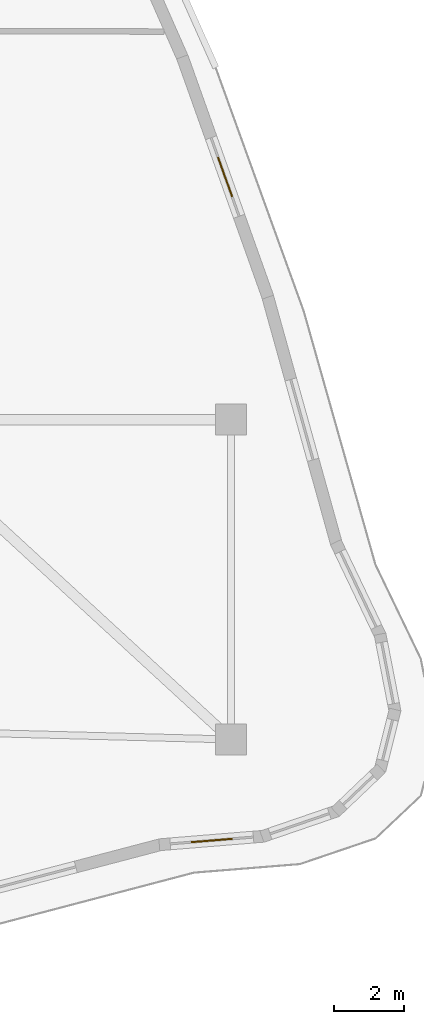
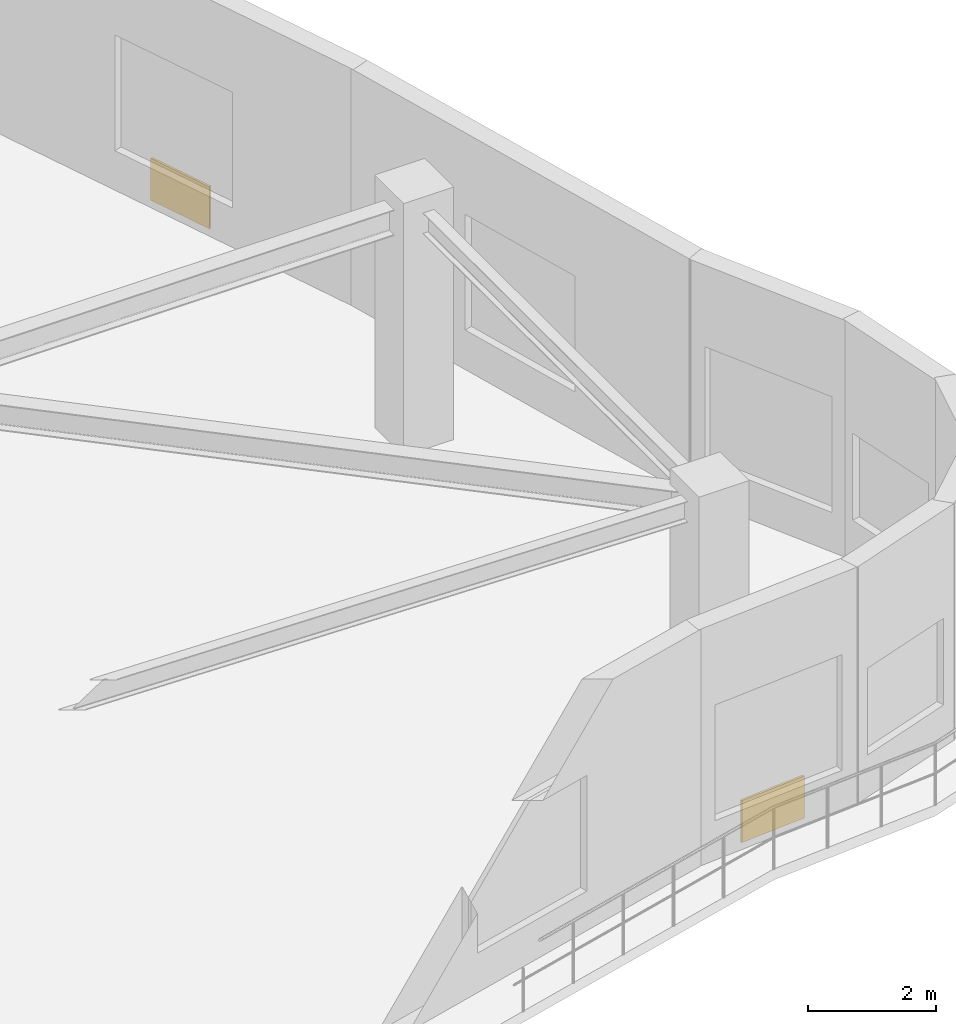
# One storey, part 25 of 25: 2 coverings.
"""IFC4 building model written with IfcOpenShell, lengths in metres."""

from ifc_helpers import new_model, si_unit, direction, frame, origin, origin_2d, place, context, subcontext, project, spatial, rectangle, extrude, material, layer, layer_set, type_object, element, save


model = new_model("IFC4")

# Units and contexts
model_context = context("Model", 3, precision=1e-05, world=origin(), true_north=direction((0.0, 1.0)))
body_context = subcontext(model_context, "Body", "Model", "MODEL_VIEW")
ifc_project = project(units=[si_unit("LENGTHUNIT", "METRE"), si_unit("AREAUNIT", "SQUARE_METRE"), si_unit("VOLUMEUNIT", "CUBIC_METRE"), si_unit("PLANEANGLEUNIT", "RADIAN"), si_unit("MASSUNIT", "GRAM", prefix="KILO")], contexts=[model_context])

# Site, building, storey
site_placement = place(None, origin())
site = spatial("IfcSite", under=ifc_project, at=site_placement, CompositionType="ELEMENT")
building_placement = place(site_placement, origin())
building = spatial("IfcBuilding", under=site, at=building_placement, Name="Miruveldt Soraemaru", CompositionType="ELEMENT")
storey_placement = place(building_placement, frame((0.0, 0.0, 4.800048828125)))
storey = spatial("IfcBuildingStorey", under=building, at=storey_placement, Name="L02", CompositionType="ELEMENT", Elevation=4.800048828125)

# Coverings
ifc_material = material(Name="Precast concrete C45/55 (45 MPa)", Category="concrete")
ifc_layer = layer(ifc_material, 0.0400390625, Name="Precast concrete C45/55 (45 MPa)", Category="concrete")
ifc_layer_set = layer_set([ifc_layer], Name="Precast concrete C45/55 (45 MPa)")
covering_type = type_object("IfcCoveringType", Name="COV-CLAD-GRAN", PredefinedType="CLADDING", material=ifc_layer_set)
covering_1_placement = place(storey_placement, frame((74.2490234375, 18.69482421875, 0.0), z_axis=(0.0, 0.0, 1.0), x_axis=(0.996681573939, 0.081399263944, 0.0)))
element("IfcCovering", 1, at=covering_1_placement, inside=storey, type_object=covering_type, Name="L02 Reconstituted Granite Base Cladding 29", PredefinedType="CLADDING", context=body_context, shape_type="SweptSolid", body=[
    extrude(rectangle(XDim=1.18310546875, YDim=0.0400390625, at=origin_2d()), origin(), (0.0, 0.0, 1.0), 0.800048828125),
])
covering_2_placement = place(storey_placement, frame((74.631591796875, 37.775146484375, 0.0), z_axis=(0.0, 0.0, 1.0), x_axis=(-0.335944783874, 0.941881681629, 0.0)))
element("IfcCovering", 2, at=covering_2_placement, inside=storey, type_object=covering_type, Name="L02 Reconstituted Granite Base Cladding 36", PredefinedType="CLADDING", context=body_context, shape_type="SweptSolid", body=[
    extrude(rectangle(XDim=1.199951171875, YDim=0.0400390625, at=origin_2d()), origin(), (0.0, 0.0, 1.0), 0.800048828125),
])

save(model, "model.ifc")
